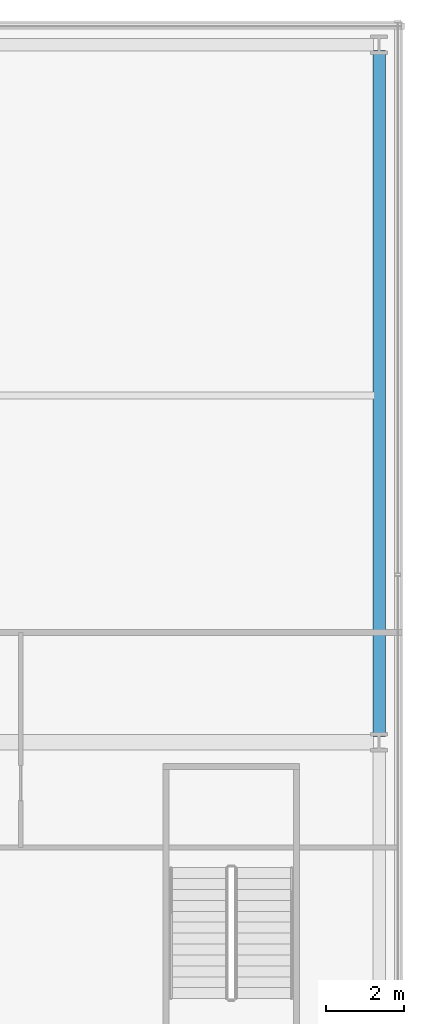
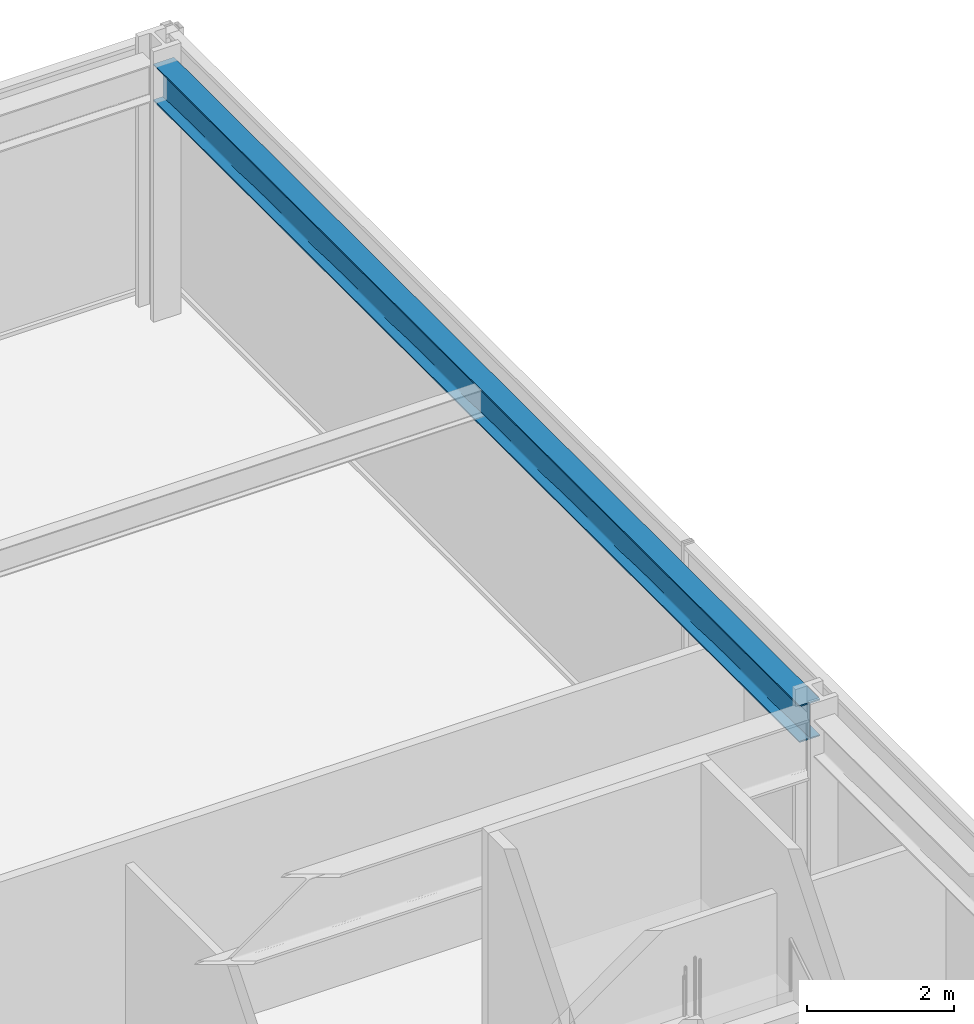
# One storey, part 34 of 47: 1 beam.
"""IFC4 building model written with IfcOpenShell, lengths in metres."""

from ifc_helpers import new_model, si_unit, direction, frame, origin, origin_2d, place, context, subcontext, project, spatial, i_section, extrude, material, material_profile, profile_set, type_object, element, save


model = new_model("IFC4")

# Units and contexts
model_context = context("Model", 3, precision=1e-05, world=origin(), true_north=direction((0.0, 1.0)))
body_context = subcontext(model_context, "Body", "Model", "MODEL_VIEW")
ifc_project = project(units=[si_unit("LENGTHUNIT", "METRE"), si_unit("AREAUNIT", "SQUARE_METRE"), si_unit("VOLUMEUNIT", "CUBIC_METRE"), si_unit("PLANEANGLEUNIT", "RADIAN"), si_unit("MASSUNIT", "GRAM", prefix="KILO")], contexts=[model_context])

# Site, building, storey
site_placement = place(None, origin())
site = spatial("IfcSite", under=ifc_project, at=site_placement, CompositionType="ELEMENT")
building_placement = place(site_placement, origin())
building = spatial("IfcBuilding", under=site, at=building_placement, Name="Kolvaren Belvedere", CompositionType="ELEMENT")
storey_placement = place(building_placement, frame((0.0, 0.0, 5.5)))
storey = spatial("IfcBuildingStorey", under=building, at=storey_placement, Name="L02", CompositionType="ELEMENT", Elevation=5.5)

# Beam
ifc_material = material(Name="Structural steel ASTM A992 Grade 50", Category="steel")
ifc_material_profile = material_profile(ifc_material, i_section(OverallWidth=0.324951171875, OverallDepth=0.615966796875, WebThickness=0.013916015625, FlangeThickness=0.021484375, FilletRadius=0.02001953125, at=origin_2d()), Name="W24X117")
ifc_profile_set = profile_set([ifc_material_profile], Name="Structural steel ASTM A992 Grade 50")
beam_type = type_object("IfcBeamType", Name="BM-SPAN-W24X117", PredefinedType="SPANDREL", material=ifc_profile_set)
beam_placement = place(storey_placement, frame((27.39990234375, 10.050048828125, 3.912109375), z_axis=(0.0, 1.0, 0.0), x_axis=(-1.0, 0.0, 0.0)))
element("IfcBeam", 1, at=beam_placement, inside=storey, type_object=beam_type, Name="L02 E Podium Spandrel 3", PredefinedType="SPANDREL", context=body_context, shape_type="SweptSolid", body=[
    extrude(i_section(OverallWidth=0.324951171875, OverallDepth=0.615966796875, WebThickness=0.013916015625, FlangeThickness=0.021484375, FilletRadius=0.02001953125, at=origin_2d()), origin(), (0.0, 0.0, 1.0), 17.599853515625),
])

save(model, "model.ifc")
